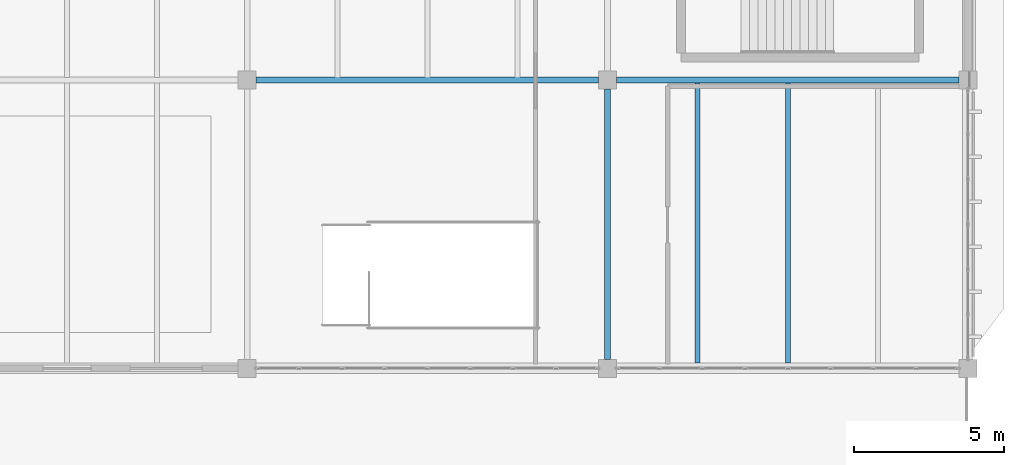
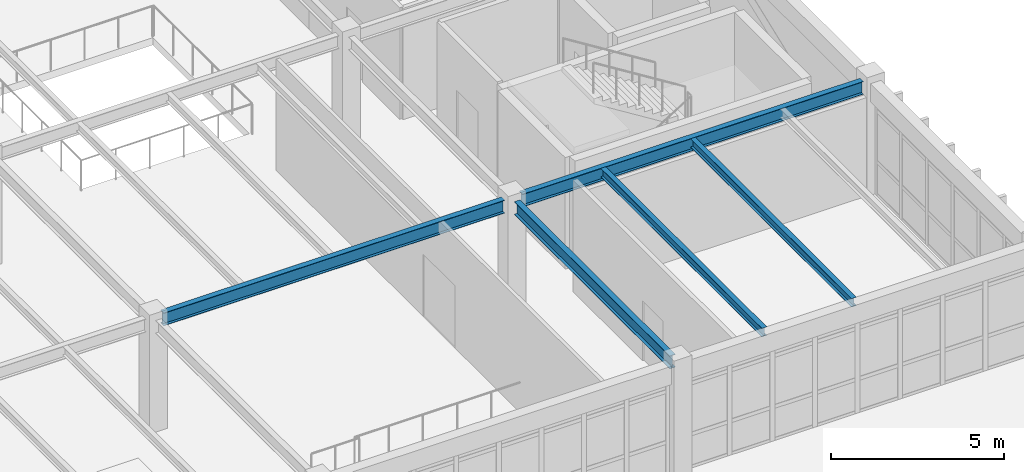
# One storey, part 30 of 83: 5 beams.
"""IFC4 building model written with IfcOpenShell, lengths in metres."""

from ifc_helpers import new_model, si_unit, direction, frame, origin, origin_2d, place, context, subcontext, project, spatial, i_section, extrude, material, material_profile, profile_set, type_object, element, save


model = new_model("IFC4")

# Units and contexts
model_context = context("Model", 3, precision=1e-05, world=origin(), true_north=direction((0.0, 1.0)))
body_context = subcontext(model_context, "Body", "Model", "MODEL_VIEW")
ifc_project = project(units=[si_unit("LENGTHUNIT", "METRE"), si_unit("AREAUNIT", "SQUARE_METRE"), si_unit("VOLUMEUNIT", "CUBIC_METRE"), si_unit("PLANEANGLEUNIT", "RADIAN"), si_unit("MASSUNIT", "GRAM", prefix="KILO")], contexts=[model_context])

# Site, building, storey
site_placement = place(None, origin())
site = spatial("IfcSite", under=ifc_project, at=site_placement, CompositionType="ELEMENT")
building_placement = place(site_placement, origin())
building = spatial("IfcBuilding", under=site, at=building_placement, Name="Pandanus Reach Market Hall", CompositionType="ELEMENT")
storey_placement = place(building_placement, frame((0.0, 0.0, 10.199951171875)))
storey = spatial("IfcBuildingStorey", under=building, at=storey_placement, Name="L02", CompositionType="ELEMENT", Elevation=10.199951171875)

# Beams
ifc_material = material(Name="Steel Grade 350 (350 MPa)", Category="steel")
ifc_material_profile_1 = material_profile(ifc_material, i_section(OverallWidth=0.18994140625, OverallDepth=0.45703125, WebThickness=0.009033203125, FlangeThickness=0.014404296875, at=origin_2d()), Name="460UB74.6", Category="LoadBearing")
ifc_profile_set_1 = profile_set([ifc_material_profile_1], Name="Steel Grade 350 (350 MPa)")
beam_type_1 = type_object("IfcBeamType", Name="BM-UB460-I", PredefinedType="BEAM", material=ifc_profile_set_1)
for number, where, z_axis, x_axis, name in (
    (1, (156.298095703125, 28.800048828125, 3.72119140625), (1.0, 0.0, 0.0), (0.0, 1.0, 0.0), "Framing beam BM-UB460-I L02.441"),
    (2, (168.298095703125, 28.800048828125, 3.72119140625), (1.0, 0.0, 0.0), (0.0, 1.0, 0.0), "Framing beam BM-UB460-I L02.442"),
):
    element("IfcBeam", number, at=place(storey_placement, frame(where, z_axis=z_axis, x_axis=x_axis)), inside=storey, type_object=beam_type_1, Name=name, PredefinedType="BEAM", context=body_context, shape_type="SweptSolid", body=[
        extrude(i_section(OverallWidth=0.18994140625, OverallDepth=0.45703125, WebThickness=0.009033203125, FlangeThickness=0.014404296875, at=origin_2d()), origin(), (0.0, 0.0, 1.0), 11.40380859375),
    ])
beam_placement = place(storey_placement, frame((168.0, 19.498046875, 3.72119140625), z_axis=(0.0, 1.0, 0.0), x_axis=(-1.0, 0.0, 0.0)))
element("IfcBeam", 3, at=beam_placement, inside=storey, type_object=beam_type_1, Name="Framing beam BM-UB460-I L02.475", PredefinedType="BEAM", context=body_context, shape_type="SweptSolid", body=[
    extrude(i_section(OverallWidth=0.18994140625, OverallDepth=0.45703125, WebThickness=0.009033203125, FlangeThickness=0.014404296875, at=origin_2d()), origin(), (0.0, 0.0, 1.0), 9.00390625),
])
ifc_material_profile_2 = material_profile(ifc_material, i_section(OverallWidth=0.1650390625, OverallDepth=0.303955078125, WebThickness=0.006103515625, FlangeThickness=0.01025390625, at=origin_2d()), Name="310UB40.4", Category="LoadBearing")
ifc_profile_set_2 = profile_set([ifc_material_profile_2], Name="Steel Grade 350 (350 MPa)")
beam_type_2 = type_object("IfcBeamType", Name="JS-UB310-I", PredefinedType="JOIST", material=ifc_profile_set_2)
for number, where, z_axis, x_axis, name in (
    (4, (171.0, 19.373046875, 3.797607421875), (0.0, 1.0, 0.0), (-1.0, 0.0, 0.0), "Secondary joist JS-UB310-I L02.521"),
    (5, (174.0, 19.373046875, 3.797607421875), (0.0, 1.0, 0.0), (-1.0, 0.0, 0.0), "Secondary joist JS-UB310-I L02.522"),
):
    element("IfcBeam", number, at=place(storey_placement, frame(where, z_axis=z_axis, x_axis=x_axis)), inside=storey, type_object=beam_type_2, Name=name, PredefinedType="JOIST", context=body_context, shape_type="SweptSolid", body=[
        extrude(i_section(OverallWidth=0.1650390625, OverallDepth=0.303955078125, WebThickness=0.006103515625, FlangeThickness=0.01025390625, at=origin_2d()), origin(), (0.0, 0.0, 1.0), 9.333984375),
    ])

save(model, "model.ifc")
